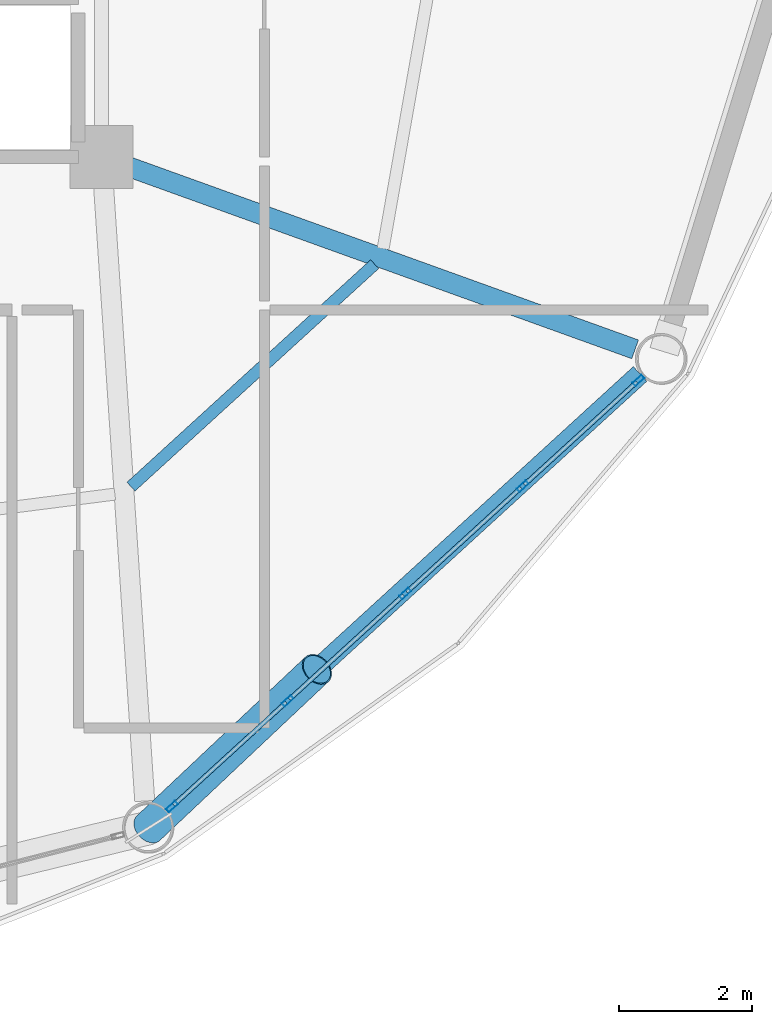
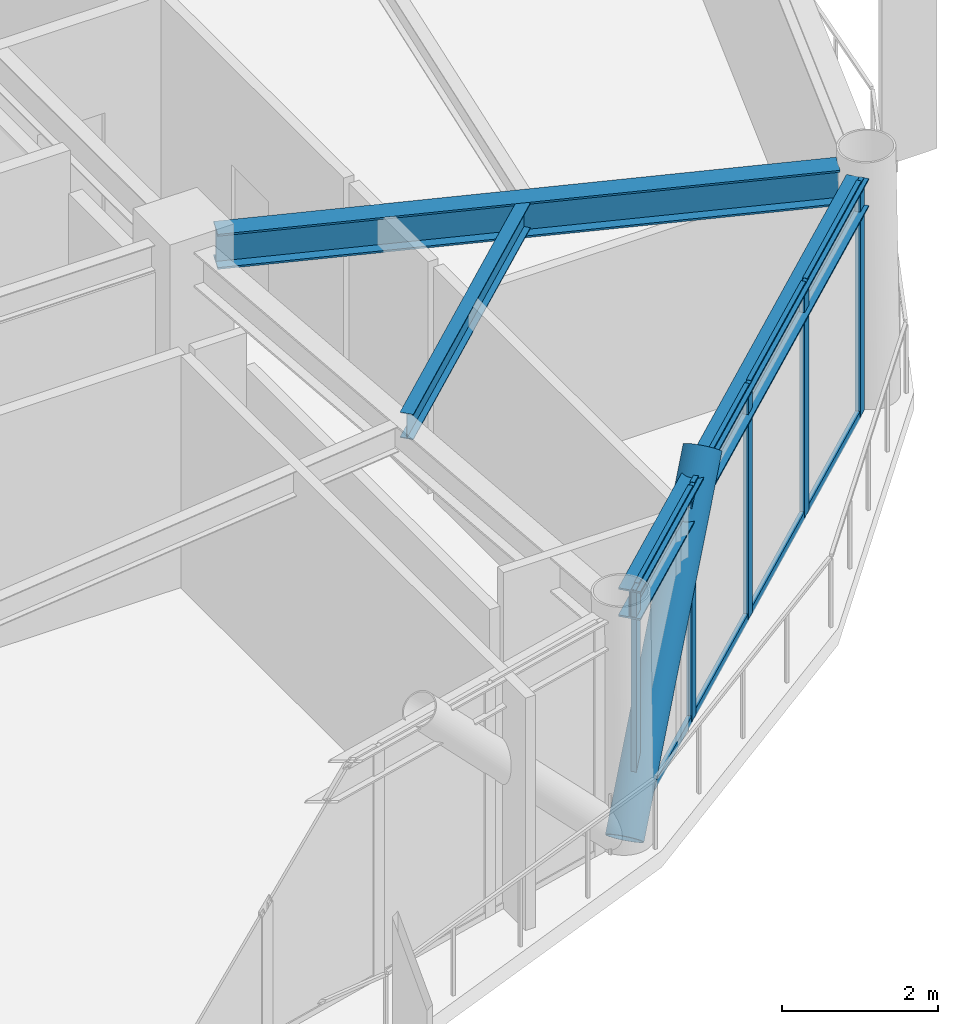
# One storey, part 12 of 25: 14 members, 3 beams, 1 element without a shape of its own.
"""IFC4 building model written with IfcOpenShell, lengths in metres."""

from ifc_helpers import new_model, si_unit, direction, frame, origin, origin_2d, place, context, subcontext, project, spatial, hollow_rectangle, hollow_circle, i_section, extrude, material, layer, layer_set, material_profile, profile_set, type_object, element, aggregate, save


model = new_model("IFC4")

# Units and contexts
model_context = context("Model", 3, precision=1e-05, world=origin(), true_north=direction((0.0, 1.0)))
body_context = subcontext(model_context, "Body", "Model", "MODEL_VIEW")
ifc_project = project(units=[si_unit("LENGTHUNIT", "METRE"), si_unit("AREAUNIT", "SQUARE_METRE"), si_unit("VOLUMEUNIT", "CUBIC_METRE"), si_unit("PLANEANGLEUNIT", "RADIAN"), si_unit("MASSUNIT", "GRAM", prefix="KILO")], contexts=[model_context])

# Site, building, storey
site_placement = place(None, origin())
site = spatial("IfcSite", under=ifc_project, at=site_placement, CompositionType="ELEMENT")
building_placement = place(site_placement, origin())
building = spatial("IfcBuilding", under=site, at=building_placement, Name="Varnakorn Sky Granary", CompositionType="ELEMENT")
storey_placement = place(building_placement, frame((0.0, 0.0, 122.699951171875)))
storey = spatial("IfcBuildingStorey", under=building, at=storey_placement, Name="L30", CompositionType="ELEMENT", Elevation=122.699951171875)

# Beams
ifc_material_1 = material(Name="Steel S355JR", Category="steel")
ifc_material_profile_1 = material_profile(ifc_material_1, i_section(OverallWidth=0.300048828125, OverallDepth=0.550048828125, WebThickness=0.014892578125, FlangeThickness=0.029052734375, at=origin_2d()), Name="HE 550 B")
ifc_profile_set_1 = profile_set([ifc_material_profile_1], Name="Steel S355JR")
beam_type_1 = type_object("IfcBeamType", Name="BM-RAD-Z3", PredefinedType="BEAM", material=ifc_profile_set_1)
beam_1_placement = place(storey_placement, frame((8.7451171875, -6.742431640625, 3.364990234375), z_axis=(0.940769297144, -0.339047385406, 0.0), x_axis=(0.339047385406, 0.940769297144, 0.0)))
element("IfcBeam", 1, at=beam_1_placement, inside=storey, type_object=beam_type_1, Name="Radial Floor Girder RG12 L30", PredefinedType="BEAM", context=body_context, shape_type="SweptSolid", body=[
    extrude(i_section(OverallWidth=0.300048828125, OverallDepth=0.550048828125, WebThickness=0.014892578125, FlangeThickness=0.029052734375, at=origin_2d()), origin(), (0.0, 0.0, 1.0), 8.11962890625),
])
ifc_material_profile_2 = material_profile(ifc_material_1, i_section(OverallWidth=0.179931640625, OverallDepth=0.39990234375, WebThickness=0.008544921875, FlangeThickness=0.013427734375, at=origin_2d()), Name="IPE 400")
ifc_profile_set_2 = profile_set([ifc_material_profile_2], Name="Steel S355JR")
beam_type_2 = type_object("IfcBeamType", Name="BM-SEC-Z3", PredefinedType="BEAM", material=ifc_profile_set_2)
beam_2_placement = place(storey_placement, frame((8.792236328125, -11.563232421875, 3.43994140625), z_axis=(0.738490813291, 0.674263538007, 0.0), x_axis=(-0.674263538007, 0.738490813291, 0.0)))
element("IfcBeam", 2, at=beam_2_placement, inside=storey, type_object=beam_type_2, Name="Secondary Floor Chord Beam MSB11 L30", PredefinedType="BEAM", context=body_context, shape_type="SweptSolid", body=[
    extrude(i_section(OverallWidth=0.179931640625, OverallDepth=0.39990234375, WebThickness=0.008544921875, FlangeThickness=0.013427734375, at=origin_2d()), origin(), (0.0, 0.0, 1.0), 4.96826171875),
])
ifc_material_profile_3 = material_profile(ifc_material_1, i_section(OverallWidth=0.300048828125, OverallDepth=0.449951171875, WebThickness=0.013916015625, FlangeThickness=0.02587890625, at=origin_2d()), Name="HE 450 B")
ifc_profile_set_3 = profile_set([ifc_material_profile_3], Name="Steel S355JR")
beam_type_3 = type_object("IfcBeamType", Name="BM-SPD-Z3", PredefinedType="SPANDREL", material=ifc_profile_set_3)
beam_3_placement = place(storey_placement, frame((9.294189453125, -16.41455078125, 3.4150390625), z_axis=(0.738115063522, 0.674674849836, 0.0), x_axis=(-0.674674849836, 0.738115063522, 0.0)))
element("IfcBeam", 3, at=beam_3_placement, inside=storey, type_object=beam_type_3, Name="Perimeter Spandrel Ring Beam RB11 L30", PredefinedType="SPANDREL", context=body_context, shape_type="SweptSolid", body=[
    extrude(i_section(OverallWidth=0.300048828125, OverallDepth=0.449951171875, WebThickness=0.013916015625, FlangeThickness=0.02587890625, at=origin_2d()), origin(), (0.0, 0.0, 1.0), 9.70556640625),
])

# Curtain wall, members
ifc_material_2 = material(Name="Anodised Bronze Aluminium Alloy 6063-T6", Category="aluminium")
ifc_layer = layer(ifc_material_2, 0.179931640625, Name="Anodised Bronze Aluminium Alloy 6063-T6")
ifc_layer_set = layer_set([ifc_layer], Name="Anodised Bronze Aluminium Alloy 6063-T6")
curtain_wall_type = type_object("IfcCurtainWallType", Name="CW-FRM-2", PredefinedType="USERDEFINED", material=ifc_layer_set)
curtain_wall_placement = place(storey_placement, origin())
curtain_wall = element("IfcCurtainWall", 4, at=curtain_wall_placement, inside=storey, type_object=curtain_wall_type, Name="Unitised Curtain Wall CW4 CW-L30-B11", ObjectType="CURTAIN WALL", PredefinedType="USERDEFINED")
ifc_material_profile_4 = material_profile(ifc_material_2, hollow_rectangle(XDim=0.070068359375, YDim=0.18505859375, WallThickness=0.00390625, at=origin_2d()), Name="ALU MULL 70x185")
ifc_profile_set_4 = profile_set([ifc_material_profile_4], Name="Anodised Bronze Aluminium Alloy 6063-T6")
member_type_1 = type_object("IfcMemberType", Name="CW-FRM-2-MULL", PredefinedType="MULLION", material=ifc_profile_set_4)
member_1_placement = place(storey_placement, frame((16.4345703125, -9.964111328125, 0.0), z_axis=(0.0, 0.0, 1.0), x_axis=(0.674407385715, -0.738359450466, 0.0)))
member_1 = element("IfcMember", 5, at=member_1_placement, type_object=member_type_1, Name="CW4 mullion 1", PredefinedType="MULLION", context=body_context, shape_type="SweptSolid", body=[
    extrude(hollow_rectangle(XDim=0.070068359375, YDim=0.18505859375, WallThickness=0.00390625, at=origin_2d()), origin(), (0.0, 0.0, 1.0), 3.64013671875),
])
member_2_placement = place(storey_placement, frame((14.691162109375, -11.556396484375, 0.0), z_axis=(0.0, 0.0, 1.0), x_axis=(0.674407385715, -0.738359450466, 0.0)))
member_2 = element("IfcMember", 6, at=member_2_placement, type_object=member_type_1, Name="CW4 mullion 2", PredefinedType="MULLION", context=body_context, shape_type="SweptSolid", body=[
    extrude(hollow_rectangle(XDim=0.070068359375, YDim=0.18505859375, WallThickness=0.00390625, at=origin_2d()), origin(), (0.0, 0.0, 1.0), 3.64013671875),
])
member_3_placement = place(storey_placement, frame((12.921875, -13.172607421875, 0.0), z_axis=(0.0, 0.0, 1.0), x_axis=(0.674407385715, -0.738359450466, 0.0)))
member_3 = element("IfcMember", 7, at=member_3_placement, type_object=member_type_1, Name="CW4 mullion 3", PredefinedType="MULLION", context=body_context, shape_type="SweptSolid", body=[
    extrude(hollow_rectangle(XDim=0.070068359375, YDim=0.18505859375, WallThickness=0.00390625, at=origin_2d()), origin(), (0.0, 0.0, 1.0), 3.64013671875),
])
member_4_placement = place(storey_placement, frame((11.15234375, -14.788818359375, 0.0), z_axis=(0.0, 0.0, 1.0), x_axis=(0.674407385715, -0.738359450466, 0.0)))
member_4 = element("IfcMember", 8, at=member_4_placement, type_object=member_type_1, Name="CW4 mullion 4", PredefinedType="MULLION", context=body_context, shape_type="SweptSolid", body=[
    extrude(hollow_rectangle(XDim=0.070068359375, YDim=0.18505859375, WallThickness=0.00390625, at=origin_2d()), origin(), (0.0, 0.0, 1.0), 3.64013671875),
])
member_5_placement = place(storey_placement, frame((9.408935546875, -16.381103515625, 0.0), z_axis=(0.0, 0.0, 1.0), x_axis=(0.674407385715, -0.738359450466, 0.0)))
member_5 = element("IfcMember", 9, at=member_5_placement, type_object=member_type_1, Name="CW4 mullion 5", PredefinedType="MULLION", context=body_context, shape_type="SweptSolid", body=[
    extrude(hollow_rectangle(XDim=0.070068359375, YDim=0.18505859375, WallThickness=0.00390625, at=origin_2d()), origin(), (0.0, 0.0, 1.0), 3.64013671875),
])
ifc_material_profile_5 = material_profile(ifc_material_2, hollow_rectangle(XDim=0.06494140625, YDim=0.1201171875, WallThickness=0.00341796875, at=origin_2d()), Name="ALU TRAN 65x120")
ifc_profile_set_5 = profile_set([ifc_material_profile_5], Name="Anodised Bronze Aluminium Alloy 6063-T6")
member_type_2 = type_object("IfcMemberType", Name="CW-FRM-2-TRAN", PredefinedType="USERDEFINED", material=ifc_profile_set_5)
member_6_placement = place(storey_placement, frame((16.408935546875, -9.987548828125, 0.032470703125), z_axis=(-0.738347081543, -0.674420927297, 0.0), x_axis=(0.674420927297, -0.738347081543, 0.0)))
member_6 = element("IfcMember", 10, at=member_6_placement, type_object=member_type_2, Name="CW4 transom 1.1", ObjectType="TRANSOM", PredefinedType="USERDEFINED", context=body_context, shape_type="SweptSolid", body=[
    extrude(hollow_rectangle(XDim=0.06494140625, YDim=0.1201171875, WallThickness=0.00341796875, at=origin_2d()), origin(), (0.0, 0.0, 1.0), 2.29150390625),
])
member_7_placement = place(storey_placement, frame((16.408935546875, -9.987548828125, 3.607666015625), z_axis=(-0.738347081543, -0.674420927297, 0.0), x_axis=(0.674420927297, -0.738347081543, 0.0)))
member_7 = element("IfcMember", 11, at=member_7_placement, type_object=member_type_2, Name="CW4 transom 1.2", ObjectType="TRANSOM", PredefinedType="USERDEFINED", context=body_context, shape_type="SweptSolid", body=[
    extrude(hollow_rectangle(XDim=0.06494140625, YDim=0.1201171875, WallThickness=0.00341796875, at=origin_2d()), origin(), (0.0, 0.0, 1.0), 2.29150390625),
])
member_8_placement = place(storey_placement, frame((14.665283203125, -11.580078125, 0.032470703125), z_axis=(-0.738342330442, -0.674426128703, 0.0), x_axis=(0.674426128703, -0.738342330442, 0.0)))
member_8 = element("IfcMember", 12, at=member_8_placement, type_object=member_type_2, Name="CW4 transom 2.1", ObjectType="TRANSOM", PredefinedType="USERDEFINED", context=body_context, shape_type="SweptSolid", body=[
    extrude(hollow_rectangle(XDim=0.06494140625, YDim=0.1201171875, WallThickness=0.00341796875, at=origin_2d()), origin(), (0.0, 0.0, 1.0), 2.326171875),
])
member_9_placement = place(storey_placement, frame((14.665283203125, -11.580078125, 3.607666015625), z_axis=(-0.738342330442, -0.674426128703, 0.0), x_axis=(0.674426128703, -0.738342330442, 0.0)))
member_9 = element("IfcMember", 13, at=member_9_placement, type_object=member_type_2, Name="CW4 transom 2.2", ObjectType="TRANSOM", PredefinedType="USERDEFINED", context=body_context, shape_type="SweptSolid", body=[
    extrude(hollow_rectangle(XDim=0.06494140625, YDim=0.1201171875, WallThickness=0.00341796875, at=origin_2d()), origin(), (0.0, 0.0, 1.0), 2.326171875),
])
member_10_placement = place(storey_placement, frame((12.89599609375, -13.1962890625, 0.032470703125), z_axis=(-0.738390062698, -0.674373869088, 0.0), x_axis=(0.674373869088, -0.738390062698, 0.0)))
member_10 = element("IfcMember", 14, at=member_10_placement, type_object=member_type_2, Name="CW4 transom 3.1", ObjectType="TRANSOM", PredefinedType="USERDEFINED", context=body_context, shape_type="SweptSolid", body=[
    extrude(hollow_rectangle(XDim=0.06494140625, YDim=0.1201171875, WallThickness=0.00341796875, at=origin_2d()), origin(), (0.0, 0.0, 1.0), 2.326416015625),
])
member_11_placement = place(storey_placement, frame((12.89599609375, -13.1962890625, 3.607666015625), z_axis=(-0.738390062698, -0.674373869088, 0.0), x_axis=(0.674373869088, -0.738390062698, 0.0)))
member_11 = element("IfcMember", 15, at=member_11_placement, type_object=member_type_2, Name="CW4 transom 3.2", ObjectType="TRANSOM", PredefinedType="USERDEFINED", context=body_context, shape_type="SweptSolid", body=[
    extrude(hollow_rectangle(XDim=0.06494140625, YDim=0.1201171875, WallThickness=0.00341796875, at=origin_2d()), origin(), (0.0, 0.0, 1.0), 2.326416015625),
])
member_12_placement = place(storey_placement, frame((11.126708984375, -14.812255859375, 0.032470703125), z_axis=(-0.738347081543, -0.674420927297, 0.0), x_axis=(0.674420927297, -0.738347081543, 0.0)))
member_12 = element("IfcMember", 16, at=member_12_placement, type_object=member_type_2, Name="CW4 transom 4.1", ObjectType="TRANSOM", PredefinedType="USERDEFINED", context=body_context, shape_type="SweptSolid", body=[
    extrude(hollow_rectangle(XDim=0.06494140625, YDim=0.1201171875, WallThickness=0.00341796875, at=origin_2d()), origin(), (0.0, 0.0, 1.0), 2.29150390625),
])
member_13_placement = place(storey_placement, frame((11.126708984375, -14.812255859375, 3.607666015625), z_axis=(-0.738347081543, -0.674420927297, 0.0), x_axis=(0.674420927297, -0.738347081543, 0.0)))
member_13 = element("IfcMember", 17, at=member_13_placement, type_object=member_type_2, Name="CW4 transom 4.2", ObjectType="TRANSOM", PredefinedType="USERDEFINED", context=body_context, shape_type="SweptSolid", body=[
    extrude(hollow_rectangle(XDim=0.06494140625, YDim=0.1201171875, WallThickness=0.00341796875, at=origin_2d()), origin(), (0.0, 0.0, 1.0), 2.29150390625),
])
aggregate(curtain_wall, [member_1, member_2, member_3, member_4, member_5, member_6, member_7, member_8, member_9, member_10, member_11, member_12, member_13])

# Member
ifc_material_3 = material(Name="Steel S460M", Category="steel")
ifc_material_profile_6 = material_profile(ifc_material_3, hollow_circle(Radius=0.25390625, WallThickness=0.01806640625, at=origin_2d()), Name="CHS 508x18")
ifc_profile_set_6 = profile_set([ifc_material_profile_6], Name="Steel S460M")
member_type_3 = type_object("IfcMemberType", Name="MB-DIAG-T2", PredefinedType="BRACE", material=ifc_profile_set_6)
member_14_placement = place(storey_placement, frame((9.0576171875, -16.7021484375, 0.0), z_axis=(0.492423343073, 0.463962307928, 0.736381849327), x_axis=(-0.685760438188, 0.727827329397, 0.0)))
element("IfcMember", 18, at=member_14_placement, inside=storey, type_object=member_type_3, Name="Perimeter CHS Diagrid Brace DG11 L30", PredefinedType="BRACE", context=body_context, shape_type="SweptSolid", body=[
    extrude(hollow_circle(Radius=0.25390625, WallThickness=0.01806640625, at=origin_2d()), origin(), (0.0, 0.0, 1.0), 5.146728515625),
])

save(model, "model.ifc")
